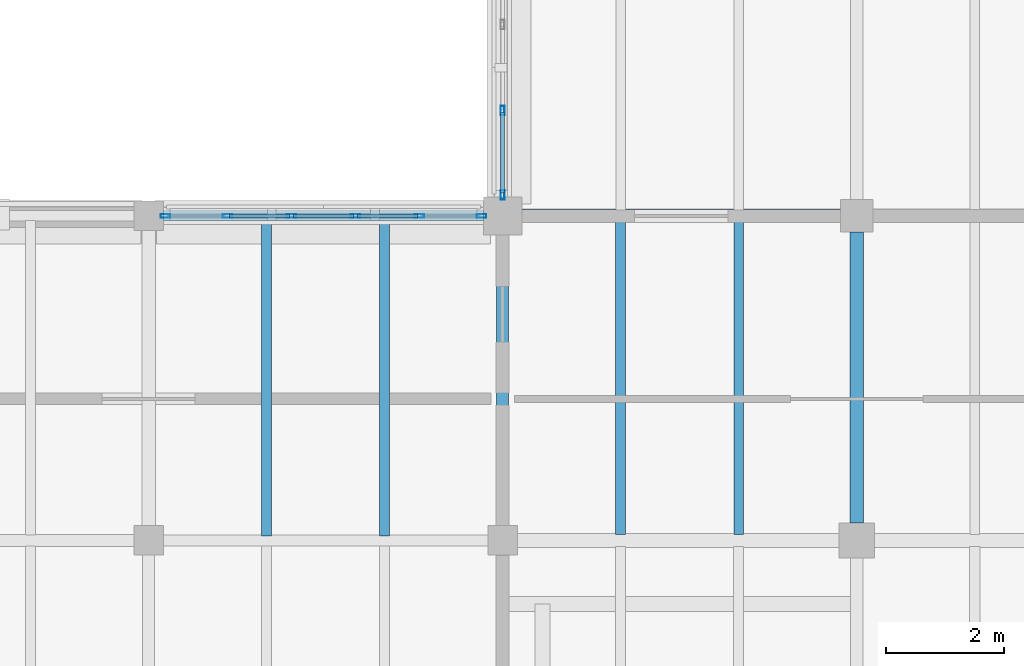
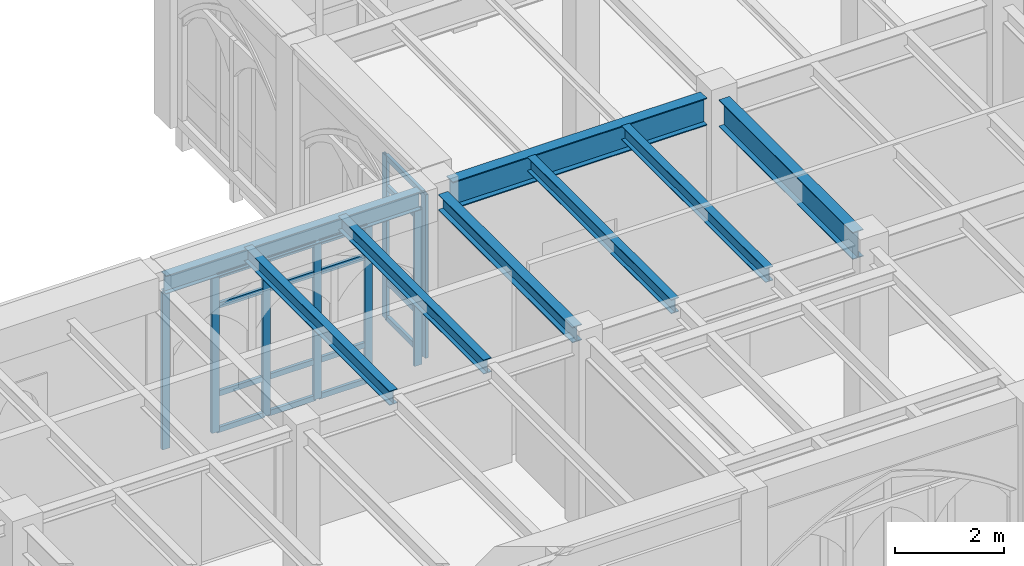
# One storey, part 31 of 143: 24 members, 8 beams, 2 elements without a shape of their own.
"""IFC4 building model written with IfcOpenShell, lengths in metres."""

from ifc_helpers import new_model, si_unit, direction, frame, origin, origin_2d, place, context, subcontext, project, spatial, hollow_rectangle, i_section, extrude, material, layer, layer_set, material_profile, profile_set, type_object, element, aggregate, save


model = new_model("IFC4")

# Units and contexts
model_context = context("Model", 3, precision=1e-05, world=origin(), true_north=direction((0.0, 1.0)))
body_context = subcontext(model_context, "Body", "Model", "MODEL_VIEW")
ifc_project = project(units=[si_unit("LENGTHUNIT", "METRE"), si_unit("AREAUNIT", "SQUARE_METRE"), si_unit("VOLUMEUNIT", "CUBIC_METRE"), si_unit("PLANEANGLEUNIT", "RADIAN"), si_unit("MASSUNIT", "GRAM", prefix="KILO")], contexts=[model_context])

# Site, building, storey
site_placement = place(None, origin())
site = spatial("IfcSite", under=ifc_project, at=site_placement, CompositionType="ELEMENT")
building_placement = place(site_placement, origin())
building = spatial("IfcBuilding", under=site, at=building_placement, Name="Cumevento Cable Car Station", CompositionType="ELEMENT")
storey_placement = place(building_placement, frame((0.0, 0.0, 9.0)))
storey = spatial("IfcBuildingStorey", under=building, at=storey_placement, Name="L03", CompositionType="ELEMENT", Elevation=9.0)

# Curtain wall, members
ifc_material_1 = material(Name="Anodised Bronze Aluminium AW-6063-T6", Category="aluminium")
ifc_layer_1 = layer(ifc_material_1, 0.177978515625)
ifc_layer_set_1 = layer_set([ifc_layer_1], Name="Anodised Bronze Aluminium AW-6063-T6")
curtain_wall_type_1 = type_object("IfcCurtainWallType", Name="Lancet Curtain Wall CW-04 1170", PredefinedType="NOTDEFINED", material=ifc_layer_set_1)
curtain_wall_1_placement = place(storey_placement, origin())
curtain_wall_1 = element("IfcCurtainWall", 1, at=curtain_wall_1_placement, inside=storey, type_object=curtain_wall_type_1, Name="Lancet Curtain Wall CW-04 L03 #99", PredefinedType="NOTDEFINED")
ifc_material_2 = material(Name="Anodised Bronze Aluminium AW-6063-T6", Category="aluminium")
ifc_material_profile_1 = material_profile(ifc_material_2, hollow_rectangle(XDim=0.06494140625, YDim=0.159912109375, WallThickness=0.00390625, at=origin_2d()), Name="ALUM65x160x4")
ifc_profile_set_1 = profile_set([ifc_material_profile_1], Name="Anodised Bronze Aluminium AW-6063-T6")
member_type_1 = type_object("IfcMemberType", Name="Curtain Mullion CWM-01 ALUM65x160x4", PredefinedType="MULLION", material=ifc_profile_set_1)
member_1_placement = place(storey_placement, frame((46.282470703125, 56.5, 0.31005859375), z_axis=(0.0, 0.0, 1.0), x_axis=(0.0, 1.0, 0.0)))
member_1 = element("IfcMember", 2, at=member_1_placement, type_object=member_type_1, Name="CW-04 mullion 1", PredefinedType="MULLION", context=body_context, shape_type="SweptSolid", body=[
    extrude(hollow_rectangle(XDim=0.06494140625, YDim=0.159912109375, WallThickness=0.00390625, at=origin_2d()), origin(), (0.0, 0.0, 1.0), 3.52294921875),
])
member_2_placement = place(storey_placement, frame((47.3349609375, 56.5, 0.31005859375), z_axis=(0.0, 0.0, 1.0), x_axis=(0.0, 1.0, 0.0)))
member_2 = element("IfcMember", 3, at=member_2_placement, type_object=member_type_1, Name="CW-04 mullion 2", PredefinedType="MULLION", context=body_context, shape_type="SweptSolid", body=[
    extrude(hollow_rectangle(XDim=0.06494140625, YDim=0.159912109375, WallThickness=0.00390625, at=origin_2d()), origin(), (0.0, 0.0, 1.0), 3.52294921875),
])
member_3_placement = place(storey_placement, frame((48.419921875, 56.5, 0.31005859375), z_axis=(0.0, 0.0, 1.0), x_axis=(0.0, 1.0, 0.0)))
member_3 = element("IfcMember", 4, at=member_3_placement, type_object=member_type_1, Name="CW-04 mullion 3", PredefinedType="MULLION", context=body_context, shape_type="SweptSolid", body=[
    extrude(hollow_rectangle(XDim=0.06494140625, YDim=0.159912109375, WallThickness=0.00390625, at=origin_2d()), origin(), (0.0, 0.0, 1.0), 3.52294921875),
])
member_4_placement = place(storey_placement, frame((49.5048828125, 56.5, 0.31005859375), z_axis=(0.0, 0.0, 1.0), x_axis=(0.0, 1.0, 0.0)))
member_4 = element("IfcMember", 5, at=member_4_placement, type_object=member_type_1, Name="CW-04 mullion 4", PredefinedType="MULLION", context=body_context, shape_type="SweptSolid", body=[
    extrude(hollow_rectangle(XDim=0.06494140625, YDim=0.159912109375, WallThickness=0.00390625, at=origin_2d()), origin(), (0.0, 0.0, 1.0), 3.52294921875),
])
member_5_placement = place(storey_placement, frame((50.590087890625, 56.5, 0.31005859375), z_axis=(0.0, 0.0, 1.0), x_axis=(0.0, 1.0, 0.0)))
member_5 = element("IfcMember", 6, at=member_5_placement, type_object=member_type_1, Name="CW-04 mullion 5", PredefinedType="MULLION", context=body_context, shape_type="SweptSolid", body=[
    extrude(hollow_rectangle(XDim=0.06494140625, YDim=0.159912109375, WallThickness=0.00390625, at=origin_2d()), origin(), (0.0, 0.0, 1.0), 3.52294921875),
])
member_6_placement = place(storey_placement, frame((51.642578125, 56.5, 0.31005859375), z_axis=(0.0, 0.0, 1.0), x_axis=(0.0, 1.0, 0.0)))
member_6 = element("IfcMember", 7, at=member_6_placement, type_object=member_type_1, Name="CW-04 mullion 6", PredefinedType="MULLION", context=body_context, shape_type="SweptSolid", body=[
    extrude(hollow_rectangle(XDim=0.06494140625, YDim=0.159912109375, WallThickness=0.00390625, at=origin_2d()), origin(), (0.0, 0.0, 1.0), 3.52294921875),
])

ifc_material_3 = material(Name="Anodised Bronze Aluminium AW-6063-T6", Category="aluminium")
ifc_layer_2 = layer(ifc_material_3, 0.2080078125)
ifc_layer_set_2 = layer_set([ifc_layer_2], Name="Anodised Bronze Aluminium AW-6063-T6")
curtain_wall_type_2 = type_object("IfcCurtainWallType", Name="Lancet Curtain Wall CW-09 1370", PredefinedType="NOTDEFINED", material=ifc_layer_set_2)
curtain_wall_2_placement = place(storey_placement, origin())
curtain_wall_2 = element("IfcCurtainWall", 8, at=curtain_wall_2_placement, inside=storey, type_object=curtain_wall_type_2, Name="Lancet Curtain Wall CW-09 L03 #120", PredefinedType="NOTDEFINED")
member_7_placement = place(storey_placement, frame((52.0, 56.857421875, 0.159912109375), z_axis=(0.0, 0.0, 1.0), x_axis=(-1.0, 0.0, 0.0)))
member_7 = element("IfcMember", 9, at=member_7_placement, type_object=member_type_1, Name="CW-09 mullion 1", PredefinedType="MULLION", context=body_context, shape_type="SweptSolid", body=[
    extrude(hollow_rectangle(XDim=0.06494140625, YDim=0.159912109375, WallThickness=0.00390625, at=origin_2d()), origin(), (0.0, 0.0, 1.0), 3.673095703125),
])
member_8_placement = place(storey_placement, frame((52.0, 58.283447265625, 0.159912109375), z_axis=(0.0, 0.0, 1.0), x_axis=(-1.0, 0.0, 0.0)))
member_8 = element("IfcMember", 10, at=member_8_placement, type_object=member_type_1, Name="CW-09 mullion 2", PredefinedType="MULLION", context=body_context, shape_type="SweptSolid", body=[
    extrude(hollow_rectangle(XDim=0.06494140625, YDim=0.159912109375, WallThickness=0.00390625, at=origin_2d()), origin(), (0.0, 0.0, 1.0), 3.673095703125),
])

# Member
ifc_material_4 = material(Name="Anodised Bronze Aluminium AW-6063-T6", Category="aluminium")
ifc_material_profile_2 = material_profile(ifc_material_4, hollow_rectangle(XDim=0.06494140625, YDim=0.1201171875, WallThickness=0.00390625, at=origin_2d()), Name="ALUT65x120x4")
ifc_profile_set_2 = profile_set([ifc_material_profile_2], Name="Anodised Bronze Aluminium AW-6063-T6")
member_type_2 = type_object("IfcMemberType", Name="Curtain Transom CWT-01 ALUT65x120x4", PredefinedType="USERDEFINED", material=ifc_profile_set_2)
member_9_placement = place(storey_placement, frame((47.367431640625, 56.5, 0.342529296875), z_axis=(1.0, 0.0, 0.0), x_axis=(0.0, 1.0, 0.0)))
member_9 = element("IfcMember", 11, at=member_9_placement, type_object=member_type_2, Name="CW-04 transom 2.1", ObjectType="TRANSOM", PredefinedType="USERDEFINED", context=body_context, shape_type="SweptSolid", body=[
    extrude(hollow_rectangle(XDim=0.06494140625, YDim=0.1201171875, WallThickness=0.00390625, at=origin_2d()), origin(), (0.0, 0.0, 1.0), 1.02001953125),
])

member_10_placement = place(storey_placement, frame((47.367431640625, 56.5, 1.159912109375), z_axis=(1.0, 0.0, 0.0), x_axis=(0.0, 1.0, 0.0)))
member_10 = element("IfcMember", 12, at=member_10_placement, type_object=member_type_2, Name="CW-04 transom 2.2", ObjectType="TRANSOM", PredefinedType="USERDEFINED", context=body_context, shape_type="SweptSolid", body=[
    extrude(hollow_rectangle(XDim=0.06494140625, YDim=0.1201171875, WallThickness=0.00390625, at=origin_2d()), origin(), (0.0, 0.0, 1.0), 1.02001953125),
])

member_11_placement = place(storey_placement, frame((47.367431640625, 56.5, 3.133056640625), z_axis=(1.0, 0.0, 0.0), x_axis=(0.0, 1.0, 0.0)))
member_11 = element("IfcMember", 13, at=member_11_placement, type_object=member_type_2, Name="CW-04 transom 2.3", ObjectType="TRANSOM", PredefinedType="USERDEFINED", context=body_context, shape_type="SweptSolid", body=[
    extrude(hollow_rectangle(XDim=0.06494140625, YDim=0.1201171875, WallThickness=0.00390625, at=origin_2d()), origin(), (0.0, 0.0, 1.0), 1.02001953125),
])

member_12_placement = place(storey_placement, frame((47.367431640625, 56.5, 3.800537109375), z_axis=(1.0, 0.0, 0.0), x_axis=(0.0, 1.0, 0.0)))
member_12 = element("IfcMember", 14, at=member_12_placement, type_object=member_type_2, Name="CW-04 transom 2.4", ObjectType="TRANSOM", PredefinedType="USERDEFINED", context=body_context, shape_type="SweptSolid", body=[
    extrude(hollow_rectangle(XDim=0.06494140625, YDim=0.1201171875, WallThickness=0.00390625, at=origin_2d()), origin(), (0.0, 0.0, 1.0), 1.02001953125),
])

member_13_placement = place(storey_placement, frame((48.452392578125, 56.5, 0.342529296875), z_axis=(1.0, 0.0, 0.0), x_axis=(0.0, 1.0, 0.0)))
member_13 = element("IfcMember", 15, at=member_13_placement, type_object=member_type_2, Name="CW-04 transom 3.1", ObjectType="TRANSOM", PredefinedType="USERDEFINED", context=body_context, shape_type="SweptSolid", body=[
    extrude(hollow_rectangle(XDim=0.06494140625, YDim=0.1201171875, WallThickness=0.00390625, at=origin_2d()), origin(), (0.0, 0.0, 1.0), 1.02001953125),
])

member_14_placement = place(storey_placement, frame((48.452392578125, 56.5, 1.159912109375), z_axis=(1.0, 0.0, 0.0), x_axis=(0.0, 1.0, 0.0)))
member_14 = element("IfcMember", 16, at=member_14_placement, type_object=member_type_2, Name="CW-04 transom 3.2", ObjectType="TRANSOM", PredefinedType="USERDEFINED", context=body_context, shape_type="SweptSolid", body=[
    extrude(hollow_rectangle(XDim=0.06494140625, YDim=0.1201171875, WallThickness=0.00390625, at=origin_2d()), origin(), (0.0, 0.0, 1.0), 1.02001953125),
])

member_15_placement = place(storey_placement, frame((48.452392578125, 56.5, 3.133056640625), z_axis=(1.0, 0.0, 0.0), x_axis=(0.0, 1.0, 0.0)))
member_15 = element("IfcMember", 17, at=member_15_placement, type_object=member_type_2, Name="CW-04 transom 3.3", ObjectType="TRANSOM", PredefinedType="USERDEFINED", context=body_context, shape_type="SweptSolid", body=[
    extrude(hollow_rectangle(XDim=0.06494140625, YDim=0.1201171875, WallThickness=0.00390625, at=origin_2d()), origin(), (0.0, 0.0, 1.0), 1.02001953125),
])

member_16_placement = place(storey_placement, frame((48.452392578125, 56.5, 3.800537109375), z_axis=(1.0, 0.0, 0.0), x_axis=(0.0, 1.0, 0.0)))
member_16 = element("IfcMember", 18, at=member_16_placement, type_object=member_type_2, Name="CW-04 transom 3.4", ObjectType="TRANSOM", PredefinedType="USERDEFINED", context=body_context, shape_type="SweptSolid", body=[
    extrude(hollow_rectangle(XDim=0.06494140625, YDim=0.1201171875, WallThickness=0.00390625, at=origin_2d()), origin(), (0.0, 0.0, 1.0), 1.02001953125),
])

member_17_placement = place(storey_placement, frame((49.53759765625, 56.5, 0.342529296875), z_axis=(1.0, 0.0, 0.0), x_axis=(0.0, 1.0, 0.0)))
member_17 = element("IfcMember", 19, at=member_17_placement, type_object=member_type_2, Name="CW-04 transom 4.1", ObjectType="TRANSOM", PredefinedType="USERDEFINED", context=body_context, shape_type="SweptSolid", body=[
    extrude(hollow_rectangle(XDim=0.06494140625, YDim=0.1201171875, WallThickness=0.00390625, at=origin_2d()), origin(), (0.0, 0.0, 1.0), 1.02001953125),
])

member_18_placement = place(storey_placement, frame((49.53759765625, 56.5, 1.159912109375), z_axis=(1.0, 0.0, 0.0), x_axis=(0.0, 1.0, 0.0)))
member_18 = element("IfcMember", 20, at=member_18_placement, type_object=member_type_2, Name="CW-04 transom 4.2", ObjectType="TRANSOM", PredefinedType="USERDEFINED", context=body_context, shape_type="SweptSolid", body=[
    extrude(hollow_rectangle(XDim=0.06494140625, YDim=0.1201171875, WallThickness=0.00390625, at=origin_2d()), origin(), (0.0, 0.0, 1.0), 1.02001953125),
])

member_19_placement = place(storey_placement, frame((49.53759765625, 56.5, 3.133056640625), z_axis=(1.0, 0.0, 0.0), x_axis=(0.0, 1.0, 0.0)))
member_19 = element("IfcMember", 21, at=member_19_placement, type_object=member_type_2, Name="CW-04 transom 4.3", ObjectType="TRANSOM", PredefinedType="USERDEFINED", context=body_context, shape_type="SweptSolid", body=[
    extrude(hollow_rectangle(XDim=0.06494140625, YDim=0.1201171875, WallThickness=0.00390625, at=origin_2d()), origin(), (0.0, 0.0, 1.0), 1.02001953125),
])

member_20_placement = place(storey_placement, frame((49.53759765625, 56.5, 3.800537109375), z_axis=(1.0, 0.0, 0.0), x_axis=(0.0, 1.0, 0.0)))
member_20 = element("IfcMember", 22, at=member_20_placement, type_object=member_type_2, Name="CW-04 transom 4.4", ObjectType="TRANSOM", PredefinedType="USERDEFINED", context=body_context, shape_type="SweptSolid", body=[
    extrude(hollow_rectangle(XDim=0.06494140625, YDim=0.1201171875, WallThickness=0.00390625, at=origin_2d()), origin(), (0.0, 0.0, 1.0), 1.02001953125),
])

aggregate(curtain_wall_1, [member_1, member_2, member_3, member_4, member_5, member_6, member_9, member_10, member_11, member_12, member_13, member_14, member_15, member_16, member_17, member_18, member_19, member_20])

member_21_placement = place(storey_placement, frame((52.0, 56.889892578125, 0.1923828125), z_axis=(0.0, 1.0, 0.0), x_axis=(-1.0, 0.0, 0.0)))
member_21 = element("IfcMember", 23, at=member_21_placement, type_object=member_type_2, Name="CW-09 transom 1.1", ObjectType="TRANSOM", PredefinedType="USERDEFINED", context=body_context, shape_type="SweptSolid", body=[
    extrude(hollow_rectangle(XDim=0.06494140625, YDim=0.1201171875, WallThickness=0.00390625, at=origin_2d()), origin(), (0.0, 0.0, 1.0), 1.36083984375),
])

member_22_placement = place(storey_placement, frame((52.0, 56.889892578125, 1.010009765625), z_axis=(0.0, 1.0, 0.0), x_axis=(-1.0, 0.0, 0.0)))
member_22 = element("IfcMember", 24, at=member_22_placement, type_object=member_type_2, Name="CW-09 transom 1.2", ObjectType="TRANSOM", PredefinedType="USERDEFINED", context=body_context, shape_type="SweptSolid", body=[
    extrude(hollow_rectangle(XDim=0.06494140625, YDim=0.1201171875, WallThickness=0.00390625, at=origin_2d()), origin(), (0.0, 0.0, 1.0), 1.36083984375),
])

member_23_placement = place(storey_placement, frame((52.0, 56.889892578125, 3.133056640625), z_axis=(0.0, 1.0, 0.0), x_axis=(-1.0, 0.0, 0.0)))
member_23 = element("IfcMember", 25, at=member_23_placement, type_object=member_type_2, Name="CW-09 transom 1.3", ObjectType="TRANSOM", PredefinedType="USERDEFINED", context=body_context, shape_type="SweptSolid", body=[
    extrude(hollow_rectangle(XDim=0.06494140625, YDim=0.1201171875, WallThickness=0.00390625, at=origin_2d()), origin(), (0.0, 0.0, 1.0), 1.36083984375),
])

member_24_placement = place(storey_placement, frame((52.0, 56.889892578125, 3.800537109375), z_axis=(0.0, 1.0, 0.0), x_axis=(-1.0, 0.0, 0.0)))
member_24 = element("IfcMember", 26, at=member_24_placement, type_object=member_type_2, Name="CW-09 transom 1.4", ObjectType="TRANSOM", PredefinedType="USERDEFINED", context=body_context, shape_type="SweptSolid", body=[
    extrude(hollow_rectangle(XDim=0.06494140625, YDim=0.1201171875, WallThickness=0.00390625, at=origin_2d()), origin(), (0.0, 0.0, 1.0), 1.36083984375),
])

aggregate(curtain_wall_2, [member_7, member_8, member_21, member_22, member_23, member_24])

# Beams
ifc_material_5 = material(Name="Steel ASTM A572 Grade 50", Category="steel")
ifc_material_profile_3 = material_profile(ifc_material_5, i_section(OverallWidth=0.22998046875, OverallDepth=0.616943359375, WebThickness=0.01318359375, FlangeThickness=0.022216796875, at=origin_2d()), Name="W610x140.0")
ifc_profile_set_3 = profile_set([ifc_material_profile_3], Name="Steel ASTM A572 Grade 50")
beam_type_1 = type_object("IfcBeamType", Name="Structural Beam BM-01 W610x140.0", PredefinedType="BEAM", material=ifc_profile_set_3)
beam_1_placement = place(storey_placement, frame((52.324951171875, 56.5, 3.931396484375), z_axis=(1.0, 0.0, 0.0), x_axis=(0.0, 1.0, 0.0)))
element("IfcBeam", 27, at=beam_1_placement, inside=storey, type_object=beam_type_1, Name="Beam BM-01 L03 #1060", PredefinedType="BEAM", context=body_context, shape_type="SweptSolid", body=[
    extrude(i_section(OverallWidth=0.22998046875, OverallDepth=0.616943359375, WebThickness=0.01318359375, FlangeThickness=0.022216796875, at=origin_2d()), origin(), (0.0, 0.0, 1.0), 5.400146484375),
])
ifc_material_6 = material(Name="Steel ASTM A572 Grade 50", Category="steel")
ifc_material_profile_4 = material_profile(ifc_material_6, i_section(OverallWidth=0.22802734375, OverallDepth=0.60791015625, WebThickness=0.01123046875, FlangeThickness=0.017333984375, at=origin_2d()), Name="W610x113.0")
ifc_profile_set_4 = profile_set([ifc_material_profile_4], Name="Steel ASTM A572 Grade 50")
beam_type_2 = type_object("IfcBeamType", Name="Structural Beam BM-02 W610x113.0", PredefinedType="BEAM", material=ifc_profile_set_4)
beam_2_placement = place(storey_placement, frame((58.0, 51.300048828125, 3.93603515625), z_axis=(0.0, 1.0, 0.0), x_axis=(-1.0, 0.0, 0.0)))
element("IfcBeam", 28, at=beam_2_placement, inside=storey, type_object=beam_type_2, Name="Beam BM-02 L03 #1063", PredefinedType="BEAM", context=body_context, shape_type="SweptSolid", body=[
    extrude(i_section(OverallWidth=0.22802734375, OverallDepth=0.60791015625, WebThickness=0.01123046875, FlangeThickness=0.017333984375, at=origin_2d()), origin(), (0.0, 0.0, 1.0), 4.925048828125),
])
ifc_material_7 = material(Name="Steel ASTM A572 Grade 50", Category="steel")
ifc_material_profile_5 = material_profile(ifc_material_7, i_section(OverallWidth=0.205078125, OverallDepth=0.35400390625, WebThickness=0.009521484375, FlangeThickness=0.016845703125, at=origin_2d()), Name="W360x79.0")
ifc_profile_set_5 = profile_set([ifc_material_profile_5], Name="Steel ASTM A572 Grade 50")
beam_type_3 = type_object("IfcBeamType", Name="Structural Beam BM-05 W360x79.0", PredefinedType="BEAM", material=ifc_profile_set_5)
beam_3_placement = place(storey_placement, frame((52.0, 51.25, 4.06298828125), z_axis=(0.0, 1.0, 0.0), x_axis=(-1.0, 0.0, 0.0)))
element("IfcBeam", 29, at=beam_3_placement, inside=storey, type_object=beam_type_3, Name="Beam BM-05 L03 #1047", PredefinedType="BEAM", context=body_context, shape_type="SweptSolid", body=[
    extrude(i_section(OverallWidth=0.205078125, OverallDepth=0.35400390625, WebThickness=0.009521484375, FlangeThickness=0.016845703125, at=origin_2d()), origin(), (0.0, 0.0, 1.0), 4.925048828125),
])
ifc_material_8 = material(Name="Steel ASTM A572 Grade 50", Category="steel")
ifc_material_profile_6 = material_profile(ifc_material_8, i_section(OverallWidth=0.1669921875, OverallDepth=0.31689453125, WebThickness=0.007568359375, FlangeThickness=0.01318359375, at=origin_2d()), Name="W310x52.0")
ifc_profile_set_6 = profile_set([ifc_material_profile_6], Name="Steel ASTM A572 Grade 50")
beam_type_4 = type_object("IfcBeamType", Name="Structural Joist JS-02 W310x52.0", PredefinedType="JOIST", material=ifc_profile_set_6)
for number, where, z_axis, x_axis, name in (
    (30, (48.0, 51.077880859375, 4.1416015625), (0.0, 1.0, 0.0), (-1.0, 0.0, 0.0), "Composite Floor Joist JS-02 L03 #1235"),
    (31, (50.0, 51.077880859375, 4.1416015625), (0.0, 1.0, 0.0), (-1.0, 0.0, 0.0), "Composite Floor Joist JS-02 L03 #1237"),
):
    element("IfcBeam", number, at=place(storey_placement, frame(where, z_axis=z_axis, x_axis=x_axis)), inside=storey, type_object=beam_type_4, Name=name, PredefinedType="JOIST", context=body_context, shape_type="SweptSolid", body=[
        extrude(i_section(OverallWidth=0.1669921875, OverallDepth=0.31689453125, WebThickness=0.007568359375, FlangeThickness=0.01318359375, at=origin_2d()), origin(), (0.0, 0.0, 1.0), 5.34521484375),
    ])
for number, where, z_axis, x_axis, name in (
    (32, (54.0, 51.10302734375, 4.08154296875), (0.0, 1.0, 0.0), (-1.0, 0.0, 0.0), "Composite Floor Joist JS-02 L03 #1241"),
    (33, (56.0, 51.10302734375, 4.08154296875), (0.0, 1.0, 0.0), (-1.0, 0.0, 0.0), "Composite Floor Joist JS-02 L03 #1243"),
):
    element("IfcBeam", number, at=place(storey_placement, frame(where, z_axis=z_axis, x_axis=x_axis)), inside=storey, type_object=beam_type_4, Name=name, PredefinedType="JOIST", context=body_context, shape_type="SweptSolid", body=[
        extrude(i_section(OverallWidth=0.1669921875, OverallDepth=0.31689453125, WebThickness=0.007568359375, FlangeThickness=0.01318359375, at=origin_2d()), origin(), (0.0, 0.0, 1.0), 5.2939453125),
    ])
ifc_material_9 = material(Name="Steel ASTM A572 Grade 50", Category="steel")
ifc_material_profile_7 = material_profile(ifc_material_9, i_section(OverallWidth=0.177978515625, OverallDepth=0.406982421875, WebThickness=0.0078125, FlangeThickness=0.0126953125, at=origin_2d()), Name="W410x60.0")
ifc_profile_set_7 = profile_set([ifc_material_profile_7], Name="Steel ASTM A572 Grade 50")
beam_type_5 = type_object("IfcBeamType", Name="Structural Spandrel SP-01 W410x60.0", PredefinedType="SPANDREL", material=ifc_profile_set_7)
beam_4_placement = place(storey_placement, frame((46.25, 56.5, 4.03662109375), z_axis=(1.0, 0.0, 0.0), x_axis=(0.0, 1.0, 0.0)))
element("IfcBeam", 34, at=beam_4_placement, inside=storey, type_object=beam_type_5, Name="Beam SP-01 L03 #1035", PredefinedType="SPANDREL", context=body_context, shape_type="SweptSolid", body=[
    extrude(i_section(OverallWidth=0.177978515625, OverallDepth=0.406982421875, WebThickness=0.0078125, FlangeThickness=0.0126953125, at=origin_2d()), origin(), (0.0, 0.0, 1.0), 5.425048828125),
])

save(model, "model.ifc")
